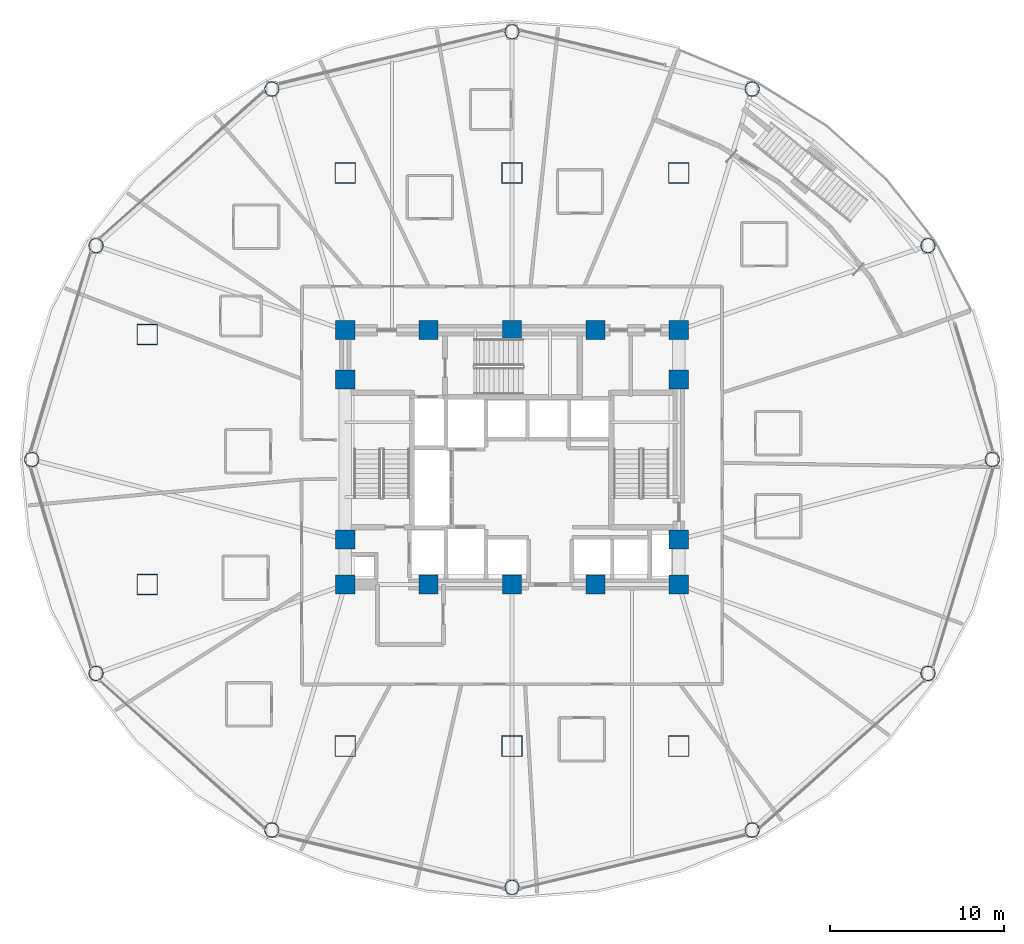
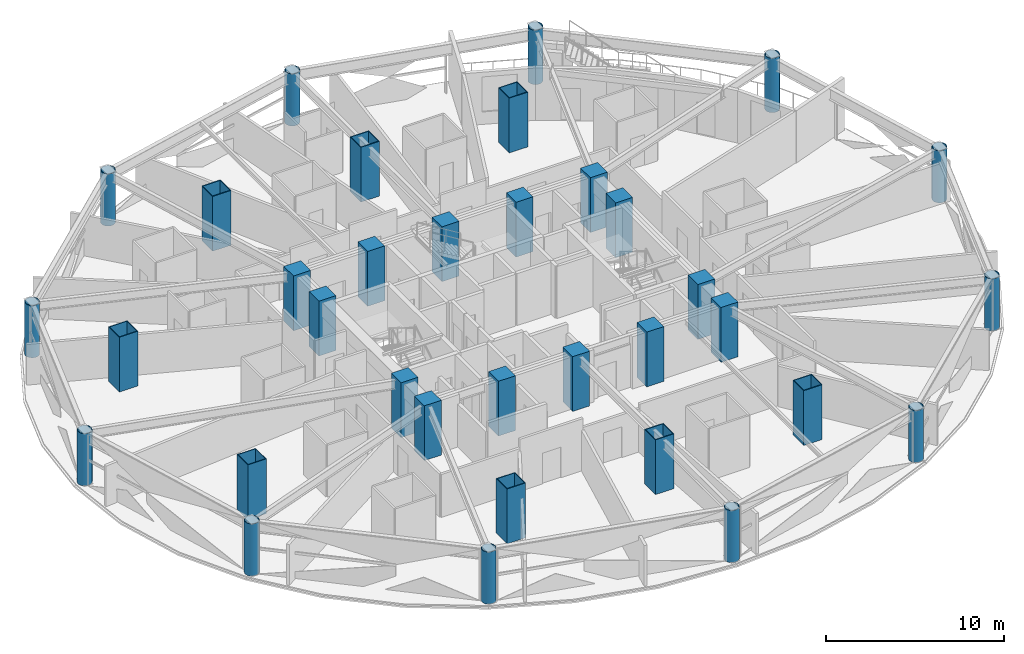
# One storey, part 1 of 33: 34 columns.
"""IFC4 building model written with IfcOpenShell, lengths in metres."""

from ifc_helpers import new_model, si_unit, direction, frame, origin, origin_2d, place, context, subcontext, project, spatial, rectangle, hollow_rectangle, hollow_circle, extrude, material, material_profile, profile_set, type_object, element, save


model = new_model("IFC4")

# Units and contexts
model_context = context("Model", 3, precision=1e-05, world=origin(), true_north=direction((0.0, 1.0)))
body_context = subcontext(model_context, "Body", "Model", "MODEL_VIEW")
ifc_project = project(units=[si_unit("LENGTHUNIT", "METRE"), si_unit("AREAUNIT", "SQUARE_METRE"), si_unit("VOLUMEUNIT", "CUBIC_METRE"), si_unit("PLANEANGLEUNIT", "RADIAN"), si_unit("MASSUNIT", "GRAM", prefix="KILO")], contexts=[model_context])

# Site, building, storey
site_placement = place(None, origin())
site = spatial("IfcSite", under=ifc_project, at=site_placement, CompositionType="ELEMENT")
building_placement = place(site_placement, origin())
building = spatial("IfcBuilding", under=site, at=building_placement, Name="Vantalir Tower", CompositionType="ELEMENT")
storey_placement = place(building_placement, frame((0.0, 0.0, 68.25)))
storey = spatial("IfcBuildingStorey", under=building, at=storey_placement, Name="L16", CompositionType="ELEMENT", Elevation=68.25)

# Columns
ifc_material_1 = material(Name="Concrete C60/75", Category="concrete")
ifc_material_profile_1 = material_profile(ifc_material_1, rectangle(XDim=1.10009765625, YDim=1.10009765625, at=origin_2d()), Name="Concrete C60/75")
ifc_profile_set_1 = profile_set([ifc_material_profile_1], Name="Concrete C60/75")
column_type_1 = type_object("IfcColumnType", Name="COL-CC-1100", PredefinedType="COLUMN", material=ifc_profile_set_1)
for number, where, z_axis, x_axis, name in (
    (1, (21.89990234375, 17.800048828125, 0.0), (0.0, 0.0, 1.0), (1.0, 0.0, 0.0), "L16 Core Column CC01"),
    (2, (26.699951171875, 17.800048828125, 0.0), (0.0, 0.0, 1.0), (1.0, 0.0, 0.0), "L16 Core Column CC02"),
    (3, (31.5, 17.800048828125, 0.0), (0.0, 0.0, 1.0), (1.0, 0.0, 0.0), "L16 Core Column CC03"),
    (4, (36.300048828125, 17.800048828125, 0.0), (0.0, 0.0, 1.0), (1.0, 0.0, 0.0), "L16 Core Column CC04"),
    (5, (41.10009765625, 17.800048828125, 0.0), (0.0, 0.0, 1.0), (1.0, 0.0, 0.0), "L16 Core Column CC05"),
    (6, (21.89990234375, 20.39990234375, 0.0), (0.0, 0.0, 1.0), (1.0, 0.0, 0.0), "L16 Core Column CC06"),
    (7, (21.89990234375, 29.60009765625, 0.0), (0.0, 0.0, 1.0), (1.0, 0.0, 0.0), "L16 Core Column CC07"),
    (8, (41.10009765625, 20.39990234375, 0.0), (0.0, 0.0, 1.0), (1.0, 0.0, 0.0), "L16 Core Column CC08"),
    (9, (41.10009765625, 29.60009765625, 0.0), (0.0, 0.0, 1.0), (1.0, 0.0, 0.0), "L16 Core Column CC09"),
    (10, (21.89990234375, 32.449951171875, 0.0), (0.0, 0.0, 1.0), (1.0, 0.0, 0.0), "L16 Core Column CC10"),
    (11, (26.699951171875, 32.449951171875, 0.0), (0.0, 0.0, 1.0), (1.0, 0.0, 0.0), "L16 Core Column CC11"),
    (12, (31.5, 32.449951171875, 0.0), (0.0, 0.0, 1.0), (1.0, 0.0, 0.0), "L16 Core Column CC12"),
    (13, (36.300048828125, 32.449951171875, 0.0), (0.0, 0.0, 1.0), (1.0, 0.0, 0.0), "L16 Core Column CC13"),
    (14, (41.10009765625, 32.449951171875, 0.0), (0.0, 0.0, 1.0), (1.0, 0.0, 0.0), "L16 Core Column CC14"),
):
    element("IfcColumn", number, at=place(storey_placement, frame(where, z_axis=z_axis, x_axis=x_axis)), inside=storey, type_object=column_type_1, Name=name, PredefinedType="COLUMN", context=body_context, shape_type="SweptSolid", body=[
        extrude(rectangle(XDim=1.10009765625, YDim=1.10009765625, at=origin_2d()), origin(), (0.0, 0.0, 1.0), 3.75),
    ])
ifc_material_2 = material(Name="Steel S460", Category="steel")
ifc_material_profile_2 = material_profile(ifc_material_2, hollow_rectangle(XDim=1.199951171875, YDim=1.199951171875, WallThickness=0.044921875, at=origin_2d()), Name="Steel S460")
ifc_profile_set_2 = profile_set([ifc_material_profile_2], Name="Steel S460")
column_type_2 = type_object("IfcColumnType", Name="COL-MC-1200", PredefinedType="COLUMN", material=ifc_profile_set_2)
for number, where, z_axis, x_axis, name in (
    (15, (21.89990234375, 8.5, 0.0), (0.0, 0.0, 1.0), (1.0, 0.0, 0.0), "L16 S460 Mega-Column MC01"),
    (16, (31.5, 8.5, 0.0), (0.0, 0.0, 1.0), (1.0, 0.0, 0.0), "L16 S460 Mega-Column MC02"),
    (17, (41.10009765625, 8.5, 0.0), (0.0, 0.0, 1.0), (1.0, 0.0, 0.0), "L16 S460 Mega-Column MC03"),
    (18, (10.5, 17.800048828125, 0.0), (0.0, 0.0, 1.0), (1.0, 0.0, 0.0), "L16 S460 Mega-Column MC04"),
    (19, (10.5, 32.199951171875, 0.0), (0.0, 0.0, 1.0), (1.0, 0.0, 0.0), "L16 S460 Mega-Column MC05"),
    (20, (21.89990234375, 41.5, 0.0), (0.0, 0.0, 1.0), (1.0, 0.0, 0.0), "L16 S460 Mega-Column MC06"),
    (21, (31.5, 41.5, 0.0), (0.0, 0.0, 1.0), (1.0, 0.0, 0.0), "L16 S460 Mega-Column MC07"),
    (22, (41.10009765625, 41.5, 0.0), (0.0, 0.0, 1.0), (1.0, 0.0, 0.0), "L16 S460 Mega-Column MC08"),
):
    element("IfcColumn", number, at=place(storey_placement, frame(where, z_axis=z_axis, x_axis=x_axis)), inside=storey, type_object=column_type_2, Name=name, PredefinedType="COLUMN", context=body_context, shape_type="SweptSolid", body=[
        extrude(hollow_rectangle(XDim=1.199951171875, YDim=1.199951171875, WallThickness=0.044921875, at=origin_2d()), origin(), (0.0, 0.0, 1.0), 3.75),
    ])
ifc_material_profile_3 = material_profile(ifc_material_2, hollow_circle(Radius=0.425048828125, WallThickness=0.0400390625, at=origin_2d()), Name="Steel S460")
ifc_profile_set_3 = profile_set([ifc_material_profile_3], Name="Steel S460")
column_type_3 = type_object("IfcColumnType", Name="COL-RC-850", PredefinedType="COLUMN", material=ifc_profile_set_3)
column_placement = place(storey_placement, frame((59.14990234375, 25.0, 0.0), z_axis=(0.0, 0.0, 1.0), x_axis=(1.0, 0.0, 0.0)))
element("IfcColumn", 23, at=column_placement, inside=storey, type_object=column_type_3, Name="L16 Perimeter Ring Column RC01", PredefinedType="COLUMN", context=body_context, shape_type="SweptSolid", body=[
    extrude(hollow_circle(Radius=0.425048828125, WallThickness=0.0400390625, at=origin_2d()), origin(), (0.0, 0.0, 1.0), 3.570068359375),
])
for number, where, z_axis, x_axis, name in (
    (24, (55.446044921875, 37.31396484375, 0.0), (0.0, 0.0, 1.0), (1.0, 0.0, 0.0), "L16 Perimeter Ring Column RC02"),
    (25, (45.324951171875, 46.3291015625, 0.0), (0.0, 0.0, 1.0), (1.0, 0.0, 0.0), "L16 Perimeter Ring Column RC03"),
):
    element("IfcColumn", number, at=place(storey_placement, frame(where, z_axis=z_axis, x_axis=x_axis)), inside=storey, type_object=column_type_3, Name=name, PredefinedType="COLUMN", context=body_context, shape_type="SweptSolid", body=[
        extrude(hollow_circle(Radius=0.425048828125, WallThickness=0.0400390625, at=origin_2d()), origin(), (0.0, 0.0, 1.0), 3.72412109375),
    ])
for number, where, z_axis, x_axis, name in (
    (26, (31.5, 49.62890625, 0.0), (0.0, 0.0, 1.0), (1.0, 0.0, 0.0), "L16 Perimeter Ring Column RC04"),
    (27, (17.675048828125, 46.3291015625, 0.0), (0.0, 0.0, 1.0), (1.0, 0.0, 0.0), "L16 Perimeter Ring Column RC05"),
    (28, (7.553955078125, 37.31396484375, 0.0), (0.0, 0.0, 1.0), (1.0, 0.0, 0.0), "L16 Perimeter Ring Column RC06"),
    (29, (3.85009765625, 25.0, 0.0), (0.0, 0.0, 1.0), (1.0, 0.0, 0.0), "L16 Perimeter Ring Column RC07"),
    (30, (7.553955078125, 12.68505859375, 0.0), (0.0, 0.0, 1.0), (1.0, 0.0, 0.0), "L16 Perimeter Ring Column RC08"),
    (31, (17.675048828125, 3.6708984375, 0.0), (0.0, 0.0, 1.0), (1.0, 0.0, 0.0), "L16 Perimeter Ring Column RC09"),
    (32, (31.5, 0.37109375, 0.0), (0.0, 0.0, 1.0), (1.0, 0.0, 0.0), "L16 Perimeter Ring Column RC10"),
    (33, (45.324951171875, 3.6708984375, 0.0), (0.0, 0.0, 1.0), (1.0, 0.0, 0.0), "L16 Perimeter Ring Column RC11"),
    (34, (55.446044921875, 12.68505859375, 0.0), (0.0, 0.0, 1.0), (1.0, 0.0, 0.0), "L16 Perimeter Ring Column RC12"),
):
    element("IfcColumn", number, at=place(storey_placement, frame(where, z_axis=z_axis, x_axis=x_axis)), inside=storey, type_object=column_type_3, Name=name, PredefinedType="COLUMN", context=body_context, shape_type="SweptSolid", body=[
        extrude(hollow_circle(Radius=0.425048828125, WallThickness=0.0400390625, at=origin_2d()), origin(), (0.0, 0.0, 1.0), 3.570068359375),
    ])

save(model, "model.ifc")
